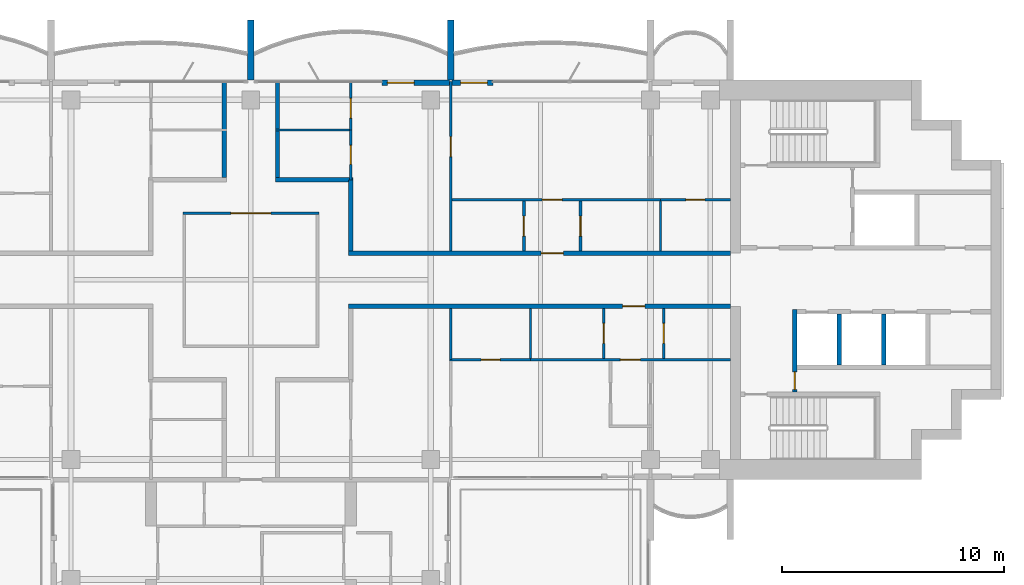
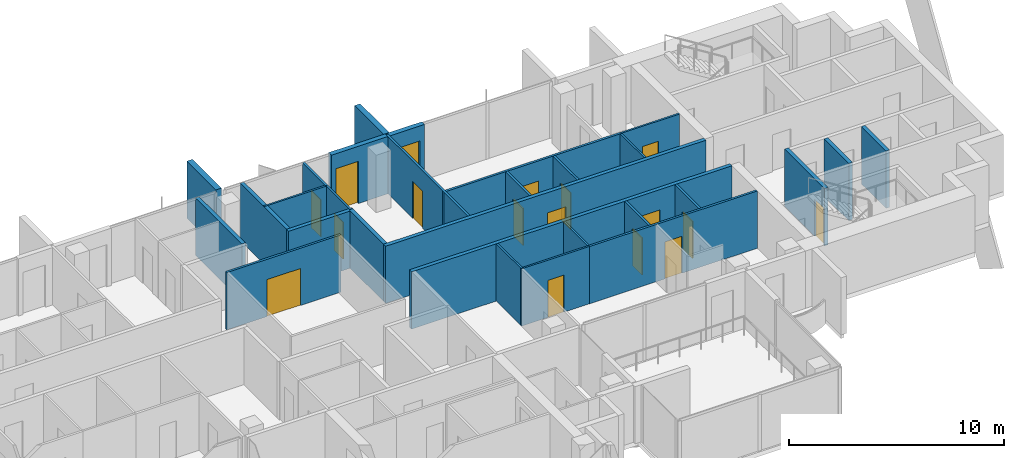
# One storey, part 10 of 16: 29 walls, 17 doors, 17 openings.
"""IFC4 building model written with IfcOpenShell, lengths in metres."""

import ifcopenshell
import ifcopenshell.guid

model = None  # the IFC model being written
_history = None  # IfcOwnerHistory: only IFC2X3 demands one
_inside = {}  # id of a spatial element -> (the spatial element, [elements in it])
_under = {}  # id of a project, library or spatial element -> (it, [spatial elements below it])
_declared = {}  # id of a project -> (the project, [libraries it declares])
_typed = {}  # id of a type object -> (the type object, [elements of that type])
_made_of = {}  # id of a material, layer set ... -> (it, [elements and type objects made of it])


def new_model(schema):
    """Start an empty IFC model of exactly this schema.

    Asked for "IFC4X3", IfcOpenShell would pick the latest addendum, in which some entities
    have other attributes; the version numbers below select the first issue.
    IFC2X3 requires an IfcOwnerHistory on every rooted entity: one is made here for all.
    """
    global model, _history
    if schema == "IFC4X3":
        model = ifcopenshell.file(schema_version=(4, 3, 0, 0))
    else:
        model = ifcopenshell.file(schema=schema)
    _inside.clear()
    _under.clear()
    _declared.clear()
    _typed.clear()
    _made_of.clear()
    _history = None
    if model.schema == "IFC2X3":
        org = make("IfcOrganization", Name="unknown")
        user = make(
            "IfcPersonAndOrganization",
            ThePerson=make("IfcPerson", FamilyName="unknown"),
            TheOrganization=org,
        )
        app = make(
            "IfcApplication",
            ApplicationDeveloper=org,
            Version="unknown",
            ApplicationFullName="unknown",
            ApplicationIdentifier="unknown",
        )
        _history = make(
            "IfcOwnerHistory",
            OwningUser=user,
            OwningApplication=app,
            ChangeAction="ADDED",
            CreationDate=0,
        )
    return model


def make(cls, **values):
    """One entity of the class cls with the attributes given. An attribute that is None is left unset."""
    return model.create_entity(
        cls, **{name: value for name, value in values.items() if value is not None}
    )


def rooted(cls, **values):
    """An entity with a GlobalId (a new one), such as an element, a storey or a relation."""
    return make(cls, GlobalId=ifcopenshell.guid.new(), OwnerHistory=_history, **values)


def si_unit(unit_type, name, prefix=None):
    """IfcSIUnit, for example si_unit("LENGTHUNIT", "METRE", prefix="MILLI")."""
    return make("IfcSIUnit", UnitType=unit_type, Prefix=prefix, Name=name)


def assignment(units):
    """IfcUnitAssignment: the units of a project."""
    return None if units is None else make("IfcUnitAssignment", Units=units)


def point(xyz):
    """IfcCartesianPoint."""
    return None if xyz is None else make("IfcCartesianPoint", Coordinates=xyz)


def direction(xyz):
    """IfcDirection."""
    return None if xyz is None else make("IfcDirection", DirectionRatios=xyz)


def frame(location, z_axis=None, x_axis=None):
    """IfcAxis2Placement3D, a coordinate frame: its origin and axes. An axis left out is left unset."""
    return make(
        "IfcAxis2Placement3D",
        Location=point(location),
        Axis=direction(z_axis),
        RefDirection=direction(x_axis),
    )


def frame_2d(location, x_axis=None):
    """IfcAxis2Placement2D, a coordinate frame in the plane: its origin and x axis."""
    return make(
        "IfcAxis2Placement2D", Location=point(location), RefDirection=direction(x_axis)
    )


def origin():
    """The frame at (0, 0, 0) with its axes left unset."""
    return frame((0.0, 0.0, 0.0))


def place(relative_to, where):
    """IfcLocalPlacement: puts the frame where relative to a parent placement (None: the world)."""
    return make(
        "IfcLocalPlacement", PlacementRelTo=relative_to, RelativePlacement=where
    )


def context(
    kind, dimensions, precision=None, world=None, true_north=None, identifier=None
):
    """IfcGeometricRepresentationContext, for example the 3D "Model" context."""
    return make(
        "IfcGeometricRepresentationContext",
        ContextIdentifier=identifier,
        ContextType=kind,
        CoordinateSpaceDimension=dimensions,
        Precision=precision,
        WorldCoordinateSystem=world,
        TrueNorth=true_north,
    )


def subcontext(parent, identifier, kind, view, scale=None):
    """IfcGeometricRepresentationSubContext, for example "Body" below "Model"."""
    return make(
        "IfcGeometricRepresentationSubContext",
        ContextIdentifier=identifier,
        ContextType=kind,
        ParentContext=parent,
        TargetScale=scale,
        TargetView=view,
    )


def project(units=None, contexts=None):
    """IfcProject with its units and contexts."""
    return rooted(
        "IfcProject",
        Name="project",
        RepresentationContexts=contexts,
        UnitsInContext=assignment(units),
    )


def spatial(cls, under=None, at=None, **own):
    """A site, building, storey or space (cls), placed at a placement, below another one or the project."""
    s = rooted(cls, ObjectPlacement=at, **own)
    if under is not None:
        _under.setdefault(under.id(), (under, []))[1].append(s)
    return s


def profile(cls, at=None, kind="AREA", **sizes):
    """A parametric profile (cls). Its sizes go by their IFC names, for example OverallWidth=200.0."""
    return make(cls, ProfileType=kind, Position=at, **sizes)


def rectangle(**sizes):
    """IfcRectangleProfileDef."""
    return profile("IfcRectangleProfileDef", **sizes)


def extrude(swept, where, along, depth):
    """IfcExtrudedAreaSolid: the profile swept, set in the frame where, extruded along a direction by depth."""
    return make(
        "IfcExtrudedAreaSolid",
        SweptArea=swept,
        Position=where,
        ExtrudedDirection=direction(along),
        Depth=depth,
    )


def shape(context_of_items, identifier, shape_type, items):
    """IfcShapeRepresentation: the items that make up one representation, for example the "Body"."""
    return make(
        "IfcShapeRepresentation",
        ContextOfItems=context_of_items,
        RepresentationIdentifier=identifier,
        RepresentationType=shape_type,
        Items=items,
    )


def material(Name=None, Category=None):
    """IfcMaterial."""
    return make("IfcMaterial", Name=Name, Category=Category)


def layer(
    of_material, thickness, ventilated=None, Name=None, Category=None, Priority=None
):
    """IfcMaterialLayer: one layer of a wall or slab, of a material (None: an air gap)."""
    return make(
        "IfcMaterialLayer",
        Material=of_material,
        LayerThickness=thickness,
        IsVentilated=ventilated,
        Name=Name,
        Category=Category,
        Priority=Priority,
    )


def layer_set(layers, Name=None):
    """IfcMaterialLayerSet."""
    return make("IfcMaterialLayerSet", MaterialLayers=layers, LayerSetName=Name)


def made_of(thing, what):
    """Note that an element or type object is made of a material, layer set ...; save() writes the relation."""
    if what is not None:
        _made_of.setdefault(what.id(), (what, []))[1].append(thing)
    return thing


def type_object(cls, material=None, **own):
    """A type object (cls), such as IfcWallType, which elements share."""
    return made_of(rooted(cls, **own), material)


def element(
    cls,
    number,
    at=None,
    inside=None,
    cuts=None,
    type_object=None,
    material=None,
    context=None,
    identifier="Body",
    shape_type=None,
    held_by="IfcProductDefinitionShape",
    body=None,
    shapes=None,
    **own,
):
    """One element of the class cls, such as IfcWall. Its Tag is "e" and its number.

    at: its placement. inside: the storey or other place that contains it. cuts: it is an
    opening in that element (IfcRelVoidsElement). A single representation is given by context,
    identifier, shape_type and body (its items); several are given by shapes. held_by: the class
    of the entity that holds the representations. save() writes the other relations.
    """
    e = rooted(cls, Tag="e%d" % number, ObjectPlacement=at, **own)
    if body is not None:
        shapes = [shape(context, identifier, shape_type, body)]
    if shapes is not None:
        e.Representation = make(held_by, Representations=shapes)
    if inside is not None:
        _inside.setdefault(inside.id(), (inside, []))[1].append(e)
    if cuts is not None:
        rooted(
            "IfcRelVoidsElement", RelatingBuildingElement=cuts, RelatedOpeningElement=e
        )
    if type_object is not None:
        _typed.setdefault(type_object.id(), (type_object, []))[1].append(e)
    return made_of(e, material)


def fill(opening, filler):
    """IfcRelFillsElement: the door or window that sits in an opening."""
    return rooted(
        "IfcRelFillsElement",
        RelatingOpeningElement=opening,
        RelatedBuildingElement=filler,
    )


def aggregate(whole, parts):
    """IfcRelAggregates: a whole, such as a stair, and the parts it consists of."""
    return rooted("IfcRelAggregates", RelatingObject=whole, RelatedObjects=parts)


def save(model, path):
    """Write the relations noted so far, then the file.

    IfcRelAggregates (storeys below a building ...), IfcRelContainedInSpatialStructure (elements
    in a storey), IfcRelDefinesByType, IfcRelAssociatesMaterial and IfcRelDeclares: one each for
    every whole, place, type object, material and project.
    """
    for whole, parts in _under.values():
        aggregate(whole, parts)
    for where, things in _inside.values():
        rooted(
            "IfcRelContainedInSpatialStructure",
            RelatedElements=things,
            RelatingStructure=where,
        )
    for kind, things in _typed.values():
        rooted("IfcRelDefinesByType", RelatedObjects=things, RelatingType=kind)
    for what, things in _made_of.values():
        rooted("IfcRelAssociatesMaterial", RelatedObjects=things, RelatingMaterial=what)
    for by, libraries in _declared.values():
        rooted("IfcRelDeclares", RelatingContext=by, RelatedDefinitions=libraries)
    model.write(path)


model = new_model("IFC4")

# Units and contexts
model_context = context("Model", 3, precision=1e-05, world=origin(), true_north=direction((0.0, 1.0)))
body_context = subcontext(model_context, "Body", "Model", "MODEL_VIEW")
ifc_project = project(units=[si_unit("LENGTHUNIT", "METRE"), si_unit("AREAUNIT", "SQUARE_METRE"), si_unit("VOLUMEUNIT", "CUBIC_METRE"), si_unit("PLANEANGLEUNIT", "RADIAN"), si_unit("MASSUNIT", "GRAM", prefix="KILO")], contexts=[model_context])

# Site, building, storey
site_placement = place(None, origin())
site = spatial("IfcSite", under=ifc_project, at=site_placement, CompositionType="ELEMENT")
building_placement = place(site_placement, origin())
building = spatial("IfcBuilding", under=site, at=building_placement, Name="Perihelion Cross Residences", CompositionType="ELEMENT")
storey_placement = place(building_placement, frame((0.0, 0.0, 253.5)))
storey = spatial("IfcBuildingStorey", under=building, at=storey_placement, Name="L64", CompositionType="ELEMENT", Elevation=253.5)

# Wall, opening, door
ifc_material_1 = material(Name="Plasterboard partition")
ifc_layer_1 = layer(ifc_material_1, 0.199951171875)
ifc_layer_set_1 = layer_set([ifc_layer_1], Name="Apartment separation wall 200")
wall_type_1 = type_object("IfcWallType", Name="Apartment separation wall 200", PredefinedType="PARTITIONING", material=ifc_layer_set_1)
wall_1_placement = place(storey_placement, frame((4.39990234375, 1.199951171875, 0.0), z_axis=(0.0, 0.0, 1.0), x_axis=(1.0, 0.0, 0.0)))
wall_1 = element("IfcWall", 1, at=wall_1_placement, inside=storey, type_object=wall_type_1, Name="Partition L64 W005", PredefinedType="PARTITIONING", context=body_context, shape_type="SweptSolid", body=[
    extrude(rectangle(XDim=17.2001953125, YDim=0.199951171875, at=frame_2d((8.60009765625, 0.0))), origin(), (0.0, 0.0, 1.0), 3.25),
])
opening_1_placement = place(wall_1_placement, frame((8.675048828125, 0.0, 0.0)))
opening_1 = element("IfcOpeningElement", 2, at=opening_1_placement, cuts=wall_1, Name="Opening L64.A40", PredefinedType="OPENING", context=body_context, shape_type="SweptSolid", body=[
    extrude(rectangle(XDim=1.0, YDim=2.10009765625, at=frame_2d((0.5, 1.050048828125))), frame((0.0, 0.10986328125, 0.0), z_axis=(0.0, -1.0, 0.0), x_axis=(1.0, 0.0, 0.0)), (0.0, 0.0, 1.0), 0.219970703125),
])
ifc_material_2 = material(Name="Timber door leaf", Category="wood")
door_type_1 = type_object("IfcDoorType", Name="Flat entrance door 1000 x 2100", OperationType="SINGLE_SWING_LEFT", PredefinedType="DOOR", material=ifc_material_2)
door_1_placement = place(opening_1_placement, origin())
door_1 = element("IfcDoor", 3, at=door_1_placement, inside=storey, type_object=door_type_1, Name="Door L64.A40", OperationType="SINGLE_SWING_LEFT", OverallHeight=2.10009765625, OverallWidth=1.0, PredefinedType="DOOR", context=body_context, shape_type="SweptSolid", body=[
    extrude(rectangle(XDim=1.0, YDim=2.10009765625, at=frame_2d((0.5, 1.050048828125))), frame((0.0, 0.02490234375, 0.0), z_axis=(0.0, -1.0, 0.0), x_axis=(1.0, 0.0, 0.0)), (0.0, 0.0, 1.0), 0.050048828125),
])
fill(opening_1, door_1)

# Walls
wall_2_placement = place(storey_placement, frame((4.5, 4.5, 0.0), z_axis=(0.0, 0.0, 1.0), x_axis=(0.0, -1.0, 0.0)))
element("IfcWall", 4, at=wall_2_placement, inside=storey, type_object=wall_type_1, Name="Partition L64 W006", PredefinedType="PARTITIONING", context=body_context, shape_type="SweptSolid", body=[
    extrude(rectangle(XDim=3.199951171875, YDim=0.199951171875, at=frame_2d((1.60009765625, 0.0))), origin(), (0.0, 0.0, 1.0), 3.25),
])
wall_3_placement = place(storey_placement, frame((1.199951171875, 8.919921875, 0.0), z_axis=(0.0, 0.0, 1.0), x_axis=(0.0, -1.0, 0.0)))
element("IfcWall", 5, at=wall_3_placement, inside=storey, type_object=wall_type_1, Name="Partition L64 W007", PredefinedType="PARTITIONING", context=body_context, shape_type="SweptSolid", body=[
    extrude(rectangle(XDim=4.31982421875, YDim=0.199951171875, at=frame_2d((2.159912109375, 0.0))), origin(), (0.0, 0.0, 1.0), 3.25),
])
wall_4_placement = place(storey_placement, frame((1.10009765625, 4.5, 0.0), z_axis=(0.0, 0.0, 1.0), x_axis=(1.0, 0.0, 0.0)))
element("IfcWall", 6, at=wall_4_placement, inside=storey, type_object=wall_type_1, Name="Partition L64 W008", PredefinedType="PARTITIONING", context=body_context, shape_type="SweptSolid", body=[
    extrude(rectangle(XDim=3.5, YDim=0.199951171875, at=frame_2d((1.75, 0.0))), origin(), (0.0, 0.0, 1.0), 3.25),
])

# Wall, opening, door
wall_5_placement = place(storey_placement, frame((21.60009765625, -1.199951171875, 0.0), z_axis=(0.0, 0.0, 1.0), x_axis=(-1.0, 0.0, 0.0)))
wall_5 = element("IfcWall", 7, at=wall_5_placement, inside=storey, type_object=wall_type_1, Name="Partition L64 W009", PredefinedType="PARTITIONING", context=body_context, shape_type="SweptSolid", body=[
    extrude(rectangle(XDim=17.2001953125, YDim=0.199951171875, at=frame_2d((8.60009765625, 0.0))), origin(), (0.0, 0.0, 1.0), 3.25),
])
opening_2_placement = place(wall_5_placement, frame((3.85009765625, 0.0, 0.0)))
opening_2 = element("IfcOpeningElement", 8, at=opening_2_placement, cuts=wall_5, Name="Opening L64.A41", PredefinedType="OPENING", context=body_context, shape_type="SweptSolid", body=[
    extrude(rectangle(XDim=1.0, YDim=2.10009765625, at=frame_2d((0.5, 1.050048828125))), frame((0.0, 0.10986328125, 0.0), z_axis=(0.0, -1.0, 0.0), x_axis=(1.0, 0.0, 0.0)), (0.0, 0.0, 1.0), 0.219970703125),
])
door_2_placement = place(opening_2_placement, origin())
door_2 = element("IfcDoor", 9, at=door_2_placement, inside=storey, type_object=door_type_1, Name="Door L64.A41", OperationType="SINGLE_SWING_LEFT", OverallHeight=2.10009765625, OverallWidth=1.0, PredefinedType="DOOR", context=body_context, shape_type="SweptSolid", body=[
    extrude(rectangle(XDim=1.0, YDim=2.10009765625, at=frame_2d((0.5, 1.050048828125))), frame((0.0, 0.02490234375, 0.0), z_axis=(0.0, -1.0, 0.0), x_axis=(1.0, 0.0, 0.0)), (0.0, 0.0, 1.0), 0.050048828125),
])
fill(opening_2, door_2)

# Wall
wall_6_placement = place(storey_placement, frame((-1.199951171875, 4.60009765625, 0.0), z_axis=(0.0, 0.0, 1.0), x_axis=(0.0, 1.0, 0.0)))
element("IfcWall", 10, at=wall_6_placement, inside=storey, type_object=wall_type_1, Name="Partition L64 W016", PredefinedType="PARTITIONING", context=body_context, shape_type="SweptSolid", body=[
    extrude(rectangle(XDim=4.31982421875, YDim=0.199951171875, at=frame_2d((2.159912109375, 0.0))), origin(), (0.0, 0.0, 1.0), 3.25),
])

# Wall, opening, door
ifc_material_3 = material(Name="Concrete C30/37, bronze-clad", Category="concrete")
ifc_layer_2 = layer(ifc_material_3, 0.25)
ifc_layer_set_2 = layer_set([ifc_layer_2], Name="Bronze-clad pier wall 250")
wall_type_2 = type_object("IfcWallType", Name="Bronze-clad pier wall 250", PredefinedType="SOLIDWALL", material=ifc_layer_set_2)
wall_7_placement = place(storey_placement, frame((10.89990234375, 8.875, 0.0), z_axis=(0.0, 0.0, 1.0), x_axis=(-1.0, 0.0, 0.0)))
wall_7 = element("IfcWall", 11, at=wall_7_placement, inside=storey, type_object=wall_type_2, Name="Wall FW1 L64 east side north bay 2 pier", PredefinedType="SOLIDWALL", context=body_context, shape_type="SweptSolid", body=[
    extrude(rectangle(XDim=1.83984375, YDim=0.25, at=frame_2d((0.919921875, 0.0))), origin(), (0.0, 0.0, 1.0), 3.25),
])
opening_3_placement = place(wall_7_placement, frame((0.25, 0.0, 0.0)))
opening_3 = element("IfcOpeningElement", 12, at=opening_3_placement, cuts=wall_7, Name="Opening L64.E02", PredefinedType="OPENING", context=body_context, shape_type="SweptSolid", body=[
    extrude(rectangle(XDim=1.199951171875, YDim=2.39990234375, at=frame_2d((0.60009765625, 1.199951171875))), frame((0.0, 0.135009765625, 0.0), z_axis=(0.0, -1.0, 0.0), x_axis=(1.0, 0.0, 0.0)), (0.0, 0.0, 1.0), 0.27001953125),
])
ifc_material_4 = material(Name="Bronze anodised aluminium, glazed", Category="aluminium")
door_type_2 = type_object("IfcDoorType", Name="Balcony door 1200 x 2400", OperationType="NOTDEFINED", PredefinedType="DOOR", material=ifc_material_4)
door_3_placement = place(opening_3_placement, origin())
door_3 = element("IfcDoor", 13, at=door_3_placement, inside=storey, type_object=door_type_2, Name="Door L64.E02 east side north bay 2", OperationType="SINGLE_SWING_RIGHT", OverallHeight=2.39990234375, OverallWidth=1.199951171875, PredefinedType="DOOR", context=body_context, shape_type="SweptSolid", body=[
    extrude(rectangle(XDim=1.199951171875, YDim=2.39990234375, at=frame_2d((0.60009765625, 1.199951171875))), frame((0.0, 0.02490234375, 0.0), z_axis=(0.0, -1.0, 0.0), x_axis=(1.0, 0.0, 0.0)), (0.0, 0.0, 1.0), 0.050048828125),
])
fill(opening_3, door_3)

wall_8_placement = place(storey_placement, frame((8.93994140625, 8.875, 0.0), z_axis=(0.0, 0.0, 1.0), x_axis=(-1.0, 0.0, 0.0)))
wall_8 = element("IfcWall", 14, at=wall_8_placement, inside=storey, type_object=wall_type_2, Name="Wall FW1 L64 north side east bay 1 pier", PredefinedType="SOLIDWALL", context=body_context, shape_type="SweptSolid", body=[
    extrude(rectangle(XDim=3.0400390625, YDim=0.25, at=frame_2d((1.52001953125, 0.0))), origin(), (0.0, 0.0, 1.0), 3.25),
])
opening_4_placement = place(wall_8_placement, frame((1.590087890625, 0.0, 0.0)))
opening_4 = element("IfcOpeningElement", 15, at=opening_4_placement, cuts=wall_8, Name="Opening L64.E03", PredefinedType="OPENING", context=body_context, shape_type="SweptSolid", body=[
    extrude(rectangle(XDim=1.199951171875, YDim=2.39990234375, at=frame_2d((0.60009765625, 1.199951171875))), frame((0.0, 0.135009765625, 0.0), z_axis=(0.0, -1.0, 0.0), x_axis=(1.0, 0.0, 0.0)), (0.0, 0.0, 1.0), 0.27001953125),
])
door_4_placement = place(opening_4_placement, origin())
door_4 = element("IfcDoor", 16, at=door_4_placement, inside=storey, type_object=door_type_2, Name="Door L64.E03 north side east bay 1", OperationType="SINGLE_SWING_LEFT", OverallHeight=2.39990234375, OverallWidth=1.199951171875, PredefinedType="DOOR", context=body_context, shape_type="SweptSolid", body=[
    extrude(rectangle(XDim=1.199951171875, YDim=2.39990234375, at=frame_2d((0.60009765625, 1.199951171875))), frame((0.0, 0.02490234375, 0.0), z_axis=(0.0, -1.0, 0.0), x_axis=(1.0, 0.0, 0.0)), (0.0, 0.0, 1.0), 0.050048828125),
])
fill(opening_4, door_4)

ifc_material_5 = material(Name="Concrete C50/60", Category="concrete")
ifc_layer_3 = layer(ifc_material_5, 0.199951171875)
ifc_layer_set_3 = layer_set([ifc_layer_3], Name="Lobby wall 200")
wall_type_3 = type_object("IfcWallType", Name="Lobby wall 200", PredefinedType="SOLIDWALL", material=ifc_layer_set_3)
wall_9_placement = place(storey_placement, frame((24.5, -5.050048828125, 0.0), z_axis=(0.0, 0.0, 1.0), x_axis=(0.0, 1.0, 0.0)))
wall_9 = element("IfcWall", 17, at=wall_9_placement, inside=storey, type_object=wall_type_3, Name="East core lobby wall", PredefinedType="SOLIDWALL", context=body_context, shape_type="SweptSolid", body=[
    extrude(rectangle(XDim=3.699951171875, YDim=0.199951171875, at=frame_2d((1.85009765625, 0.0))), origin(), (0.0, 0.0, 1.0), 3.25),
])
opening_5_placement = place(wall_9_placement, frame((0.10009765625, 0.0, 0.0)))
opening_5 = element("IfcOpeningElement", 18, at=opening_5_placement, cuts=wall_9, Name="Opening L64.C08", PredefinedType="OPENING", context=body_context, shape_type="SweptSolid", body=[
    extrude(rectangle(XDim=0.800048828125, YDim=2.10009765625, at=frame_2d((0.39990234375, 1.050048828125))), frame((0.0, 0.10986328125, 0.0), z_axis=(0.0, -1.0, 0.0), x_axis=(1.0, 0.0, 0.0)), (0.0, 0.0, 1.0), 0.219970703125),
])
ifc_material_6 = material(Name="Steel, powder coated", Category="steel")
door_type_3 = type_object("IfcDoorType", Name="Riser door 800", OperationType="SINGLE_SWING_LEFT", PredefinedType="DOOR", material=ifc_material_6)
door_5_placement = place(opening_5_placement, origin())
door_5 = element("IfcDoor", 19, at=door_5_placement, inside=storey, type_object=door_type_3, Name="East core riser door", OperationType="SINGLE_SWING_LEFT", OverallHeight=2.10009765625, OverallWidth=0.800048828125, PredefinedType="DOOR", context=body_context, shape_type="SweptSolid", body=[
    extrude(rectangle(XDim=0.800048828125, YDim=2.10009765625, at=frame_2d((0.39990234375, 1.050048828125))), frame((0.0, 0.02490234375, 0.0), z_axis=(0.0, -1.0, 0.0), x_axis=(1.0, 0.0, 0.0)), (0.0, 0.0, 1.0), 0.050048828125),
])
fill(opening_5, door_5)

ifc_material_7 = material(Name="Plasterboard partition")
ifc_layer_4 = layer(ifc_material_7, 0.1201171875)
ifc_layer_set_4 = layer_set([ifc_layer_4], Name="Partition wall 120")
wall_type_4 = type_object("IfcWallType", Name="Partition wall 120", PredefinedType="PARTITIONING", material=ifc_layer_set_4)
wall_10_placement = place(storey_placement, frame((3.06005859375, 3.0, 0.0), z_axis=(0.0, 0.0, 1.0), x_axis=(-1.0, 0.0, 0.0)))
wall_10 = element("IfcWall", 20, at=wall_10_placement, inside=storey, type_object=wall_type_4, Name="Partition L64 W003", PredefinedType="PARTITIONING", context=body_context, shape_type="SweptSolid", body=[
    extrude(rectangle(XDim=6.1201171875, YDim=0.1201171875, at=frame_2d((3.06005859375, 0.0))), origin(), (0.0, 0.0, 1.0), 3.25),
])
opening_6_placement = place(wall_10_placement, frame((2.159912109375, 0.0, 0.0)))
opening_6 = element("IfcOpeningElement", 21, at=opening_6_placement, cuts=wall_10, Name="Opening L64.A01", PredefinedType="OPENING", context=body_context, shape_type="SweptSolid", body=[
    extrude(rectangle(XDim=1.800048828125, YDim=2.10009765625, at=frame_2d((0.89990234375, 1.050048828125))), frame((0.0, 0.070068359375, 0.0), z_axis=(0.0, -1.0, 0.0), x_axis=(1.0, 0.0, 0.0)), (0.0, 0.0, 1.0), 0.14013671875),
])
ifc_material_8 = material(Name="Glazed timber door leaf", Category="wood")
door_type_4 = type_object("IfcDoorType", Name="Interior double leaf door 1800 x 2100", OperationType="DOUBLE_DOOR_SINGLE_SWING", PredefinedType="DOOR", material=ifc_material_8)
door_6_placement = place(opening_6_placement, origin())
door_6 = element("IfcDoor", 22, at=door_6_placement, inside=storey, type_object=door_type_4, Name="Door L64.A01", OperationType="SINGLE_SWING_LEFT", OverallHeight=2.10009765625, OverallWidth=1.800048828125, PredefinedType="DOOR", context=body_context, shape_type="SweptSolid", body=[
    extrude(rectangle(XDim=1.800048828125, YDim=2.10009765625, at=frame_2d((0.89990234375, 1.050048828125))), frame((0.0, 0.02490234375, 0.0), z_axis=(0.0, -1.0, 0.0), x_axis=(1.0, 0.0, 0.0)), (0.0, 0.0, 1.0), 0.050048828125),
])
fill(opening_6, door_6)

wall_11_placement = place(storey_placement, frame((12.300048828125, 3.5400390625, 0.0), z_axis=(0.0, 0.0, 1.0), x_axis=(0.0, -1.0, 0.0)))
wall_11 = element("IfcWall", 23, at=wall_11_placement, inside=storey, type_object=wall_type_4, Name="Partition L64 W022", PredefinedType="PARTITIONING", context=body_context, shape_type="SweptSolid", body=[
    extrude(rectangle(XDim=2.239990234375, YDim=0.1201171875, at=frame_2d((1.1201171875, 0.0))), origin(), (0.0, 0.0, 1.0), 3.25),
])
opening_7_placement = place(wall_11_placement, frame((0.669921875, 0.0, 0.0)))
opening_7 = element("IfcOpeningElement", 24, at=opening_7_placement, cuts=wall_11, Name="Opening L64.A05", PredefinedType="OPENING", context=body_context, shape_type="SweptSolid", body=[
    extrude(rectangle(XDim=0.89990234375, YDim=2.10009765625, at=frame_2d((0.449951171875, 1.050048828125))), frame((0.0, 0.070068359375, 0.0), z_axis=(0.0, -1.0, 0.0), x_axis=(1.0, 0.0, 0.0)), (0.0, 0.0, 1.0), 0.14013671875),
])
ifc_material_9 = material(Name="Timber door leaf", Category="wood")
door_type_5 = type_object("IfcDoorType", Name="Interior room door 900 x 2100", OperationType="SINGLE_SWING_LEFT", PredefinedType="DOOR", material=ifc_material_9)
door_7_placement = place(opening_7_placement, origin())
door_7 = element("IfcDoor", 25, at=door_7_placement, inside=storey, type_object=door_type_5, Name="Door L64.A05", OperationType="SINGLE_SWING_RIGHT", OverallHeight=2.10009765625, OverallWidth=0.89990234375, PredefinedType="DOOR", context=body_context, shape_type="SweptSolid", body=[
    extrude(rectangle(XDim=0.89990234375, YDim=2.10009765625, at=frame_2d((0.449951171875, 1.050048828125))), frame((0.0, 0.02490234375, 0.0), z_axis=(0.0, -1.0, 0.0), x_axis=(1.0, 0.0, 0.0)), (0.0, 0.0, 1.0), 0.050048828125),
])
fill(opening_7, door_7)

wall_12_placement = place(storey_placement, frame((8.93994140625, 3.60009765625, 0.0), z_axis=(0.0, 0.0, 1.0), x_axis=(1.0, 0.0, 0.0)))
wall_12 = element("IfcWall", 26, at=wall_12_placement, inside=storey, type_object=wall_type_4, Name="Partition L64 W023", PredefinedType="PARTITIONING", context=body_context, shape_type="SweptSolid", body=[
    extrude(rectangle(XDim=9.510009765625, YDim=0.1201171875, at=frame_2d((4.7548828125, 0.0))), origin(), (0.0, 0.0, 1.0), 3.25),
])
opening_8_placement = place(wall_12_placement, frame((4.18505859375, 0.0, 0.0)))
opening_8 = element("IfcOpeningElement", 27, at=opening_8_placement, cuts=wall_12, Name="Opening L64.A07", PredefinedType="OPENING", context=body_context, shape_type="SweptSolid", body=[
    extrude(rectangle(XDim=0.89990234375, YDim=2.10009765625, at=frame_2d((0.449951171875, 1.050048828125))), frame((0.0, 0.070068359375, 0.0), z_axis=(0.0, -1.0, 0.0), x_axis=(1.0, 0.0, 0.0)), (0.0, 0.0, 1.0), 0.14013671875),
])
door_8_placement = place(opening_8_placement, origin())
door_8 = element("IfcDoor", 28, at=door_8_placement, inside=storey, type_object=door_type_5, Name="Door L64.A07", OperationType="SINGLE_SWING_RIGHT", OverallHeight=2.10009765625, OverallWidth=0.89990234375, PredefinedType="DOOR", context=body_context, shape_type="SweptSolid", body=[
    extrude(rectangle(XDim=0.89990234375, YDim=2.10009765625, at=frame_2d((0.449951171875, 1.050048828125))), frame((0.0, 0.02490234375, 0.0), z_axis=(0.0, -1.0, 0.0), x_axis=(1.0, 0.0, 0.0)), (0.0, 0.0, 1.0), 0.050048828125),
])
fill(opening_8, door_8)

wall_13_placement = place(storey_placement, frame((9.0, 1.300048828125, 0.0), z_axis=(0.0, 0.0, 1.0), x_axis=(0.0, 1.0, 0.0)))
wall_13 = element("IfcWall", 29, at=wall_13_placement, inside=storey, type_object=wall_type_4, Name="Partition L64 W024", PredefinedType="PARTITIONING", context=body_context, shape_type="SweptSolid", body=[
    extrude(rectangle(XDim=7.619873046875, YDim=0.1201171875, at=frame_2d((3.81005859375, 0.0))), origin(), (0.0, 0.0, 1.0), 3.25),
])
opening_9_placement = place(wall_13_placement, frame((4.25, 0.0, 0.0)))
opening_9 = element("IfcOpeningElement", 30, at=opening_9_placement, cuts=wall_13, Name="Opening L64.A04", PredefinedType="OPENING", context=body_context, shape_type="SweptSolid", body=[
    extrude(rectangle(XDim=0.89990234375, YDim=2.10009765625, at=frame_2d((0.449951171875, 1.050048828125))), frame((0.0, 0.070068359375, 0.0), z_axis=(0.0, -1.0, 0.0), x_axis=(1.0, 0.0, 0.0)), (0.0, 0.0, 1.0), 0.14013671875),
])
door_9_placement = place(opening_9_placement, origin())
door_9 = element("IfcDoor", 31, at=door_9_placement, inside=storey, type_object=door_type_5, Name="Door L64.A04", OperationType="SINGLE_SWING_RIGHT", OverallHeight=2.10009765625, OverallWidth=0.89990234375, PredefinedType="DOOR", context=body_context, shape_type="SweptSolid", body=[
    extrude(rectangle(XDim=0.89990234375, YDim=2.10009765625, at=frame_2d((0.449951171875, 1.050048828125))), frame((0.0, 0.02490234375, 0.0), z_axis=(0.0, -1.0, 0.0), x_axis=(1.0, 0.0, 0.0)), (0.0, 0.0, 1.0), 0.050048828125),
])
fill(opening_9, door_9)

wall_14_placement = place(storey_placement, frame((14.85009765625, 3.5400390625, 0.0), z_axis=(0.0, 0.0, 1.0), x_axis=(0.0, -1.0, 0.0)))
wall_14 = element("IfcWall", 32, at=wall_14_placement, inside=storey, type_object=wall_type_4, Name="Partition L64 W025", PredefinedType="PARTITIONING", context=body_context, shape_type="SweptSolid", body=[
    extrude(rectangle(XDim=2.239990234375, YDim=0.1201171875, at=frame_2d((1.1201171875, 0.0))), origin(), (0.0, 0.0, 1.0), 3.25),
])
opening_10_placement = place(wall_14_placement, frame((0.669921875, 0.0, 0.0)))
opening_10 = element("IfcOpeningElement", 33, at=opening_10_placement, cuts=wall_14, Name="Opening L64.A09", PredefinedType="OPENING", context=body_context, shape_type="SweptSolid", body=[
    extrude(rectangle(XDim=0.89990234375, YDim=2.10009765625, at=frame_2d((0.449951171875, 1.050048828125))), frame((0.0, 0.070068359375, 0.0), z_axis=(0.0, -1.0, 0.0), x_axis=(1.0, 0.0, 0.0)), (0.0, 0.0, 1.0), 0.14013671875),
])
door_10_placement = place(opening_10_placement, origin())
door_10 = element("IfcDoor", 34, at=door_10_placement, inside=storey, type_object=door_type_5, Name="Door L64.A09", OperationType="SINGLE_SWING_LEFT", OverallHeight=2.10009765625, OverallWidth=0.89990234375, PredefinedType="DOOR", context=body_context, shape_type="SweptSolid", body=[
    extrude(rectangle(XDim=0.89990234375, YDim=2.10009765625, at=frame_2d((0.449951171875, 1.050048828125))), frame((0.0, 0.02490234375, 0.0), z_axis=(0.0, -1.0, 0.0), x_axis=(1.0, 0.0, 0.0)), (0.0, 0.0, 1.0), 0.050048828125),
])
fill(opening_10, door_10)

wall_15_placement = place(storey_placement, frame((4.5, 6.75, 0.0), z_axis=(0.0, 0.0, 1.0), x_axis=(0.0, 1.0, 0.0)))
wall_15 = element("IfcWall", 35, at=wall_15_placement, inside=storey, type_object=wall_type_4, Name="Partition L64 W030", PredefinedType="PARTITIONING", context=body_context, shape_type="SweptSolid", body=[
    extrude(rectangle(XDim=2.169921875, YDim=0.1201171875, at=frame_2d((1.0849609375, 0.0))), origin(), (0.0, 0.0, 1.0), 3.25),
])
opening_11_placement = place(wall_15_placement, frame((0.52490234375, 0.0, 0.0)))
opening_11 = element("IfcOpeningElement", 36, at=opening_11_placement, cuts=wall_15, Name="Opening L64.A06", PredefinedType="OPENING", context=body_context, shape_type="SweptSolid", body=[
    extrude(rectangle(XDim=0.89990234375, YDim=2.10009765625, at=frame_2d((0.449951171875, 1.050048828125))), frame((0.0, 0.070068359375, 0.0), z_axis=(0.0, -1.0, 0.0), x_axis=(1.0, 0.0, 0.0)), (0.0, 0.0, 1.0), 0.14013671875),
])
door_11_placement = place(opening_11_placement, origin())
door_11 = element("IfcDoor", 37, at=door_11_placement, inside=storey, type_object=door_type_5, Name="Door L64.A06", OperationType="SINGLE_SWING_RIGHT", OverallHeight=2.10009765625, OverallWidth=0.89990234375, PredefinedType="DOOR", context=body_context, shape_type="SweptSolid", body=[
    extrude(rectangle(XDim=0.89990234375, YDim=2.10009765625, at=frame_2d((0.449951171875, 1.050048828125))), frame((0.0, 0.02490234375, 0.0), z_axis=(0.0, -1.0, 0.0), x_axis=(1.0, 0.0, 0.0)), (0.0, 0.0, 1.0), 0.050048828125),
])
fill(opening_11, door_11)

wall_16_placement = place(storey_placement, frame((15.89990234375, -1.300048828125, 0.0), z_axis=(0.0, 0.0, 1.0), x_axis=(0.0, -1.0, 0.0)))
wall_16 = element("IfcWall", 38, at=wall_16_placement, inside=storey, type_object=wall_type_4, Name="Partition L64 W035", PredefinedType="PARTITIONING", context=body_context, shape_type="SweptSolid", body=[
    extrude(rectangle(XDim=2.239990234375, YDim=0.1201171875, at=frame_2d((1.1201171875, 0.0))), origin(), (0.0, 0.0, 1.0), 3.25),
])
opening_12_placement = place(wall_16_placement, frame((0.669921875, 0.0, 0.0)))
opening_12 = element("IfcOpeningElement", 39, at=opening_12_placement, cuts=wall_16, Name="Opening L64.A12", PredefinedType="OPENING", context=body_context, shape_type="SweptSolid", body=[
    extrude(rectangle(XDim=0.89990234375, YDim=2.10009765625, at=frame_2d((0.449951171875, 1.050048828125))), frame((0.0, 0.070068359375, 0.0), z_axis=(0.0, -1.0, 0.0), x_axis=(1.0, 0.0, 0.0)), (0.0, 0.0, 1.0), 0.14013671875),
])
door_12_placement = place(opening_12_placement, origin())
door_12 = element("IfcDoor", 40, at=door_12_placement, inside=storey, type_object=door_type_5, Name="Door L64.A12", OperationType="SINGLE_SWING_LEFT", OverallHeight=2.10009765625, OverallWidth=0.89990234375, PredefinedType="DOOR", context=body_context, shape_type="SweptSolid", body=[
    extrude(rectangle(XDim=0.89990234375, YDim=2.10009765625, at=frame_2d((0.449951171875, 1.050048828125))), frame((0.0, 0.02490234375, 0.0), z_axis=(0.0, -1.0, 0.0), x_axis=(1.0, 0.0, 0.0)), (0.0, 0.0, 1.0), 0.050048828125),
])
fill(opening_12, door_12)

wall_17_placement = place(storey_placement, frame((21.60009765625, -3.60009765625, 0.0), z_axis=(0.0, 0.0, 1.0), x_axis=(-1.0, 0.0, 0.0)))
wall_17 = element("IfcWall", 41, at=wall_17_placement, inside=storey, type_object=wall_type_4, Name="Partition L64 W036", PredefinedType="PARTITIONING", context=body_context, shape_type="SweptSolid", body=[
    extrude(rectangle(XDim=9.0, YDim=0.1201171875, at=frame_2d((4.5, 0.0))), origin(), (0.0, 0.0, 1.0), 3.25),
])
opening_13_placement = place(wall_17_placement, frame((4.050048828125, 0.0, 0.0)))
opening_13 = element("IfcOpeningElement", 42, at=opening_13_placement, cuts=wall_17, Name="Opening L64.A10", PredefinedType="OPENING", context=body_context, shape_type="SweptSolid", body=[
    extrude(rectangle(XDim=0.89990234375, YDim=2.10009765625, at=frame_2d((0.449951171875, 1.050048828125))), frame((0.0, 0.070068359375, 0.0), z_axis=(0.0, -1.0, 0.0), x_axis=(1.0, 0.0, 0.0)), (0.0, 0.0, 1.0), 0.14013671875),
])
door_13_placement = place(opening_13_placement, origin())
door_13 = element("IfcDoor", 43, at=door_13_placement, inside=storey, type_object=door_type_5, Name="Door L64.A10", OperationType="SINGLE_SWING_RIGHT", OverallHeight=2.10009765625, OverallWidth=0.89990234375, PredefinedType="DOOR", context=body_context, shape_type="SweptSolid", body=[
    extrude(rectangle(XDim=0.89990234375, YDim=2.10009765625, at=frame_2d((0.449951171875, 1.050048828125))), frame((0.0, 0.02490234375, 0.0), z_axis=(0.0, -1.0, 0.0), x_axis=(1.0, 0.0, 0.0)), (0.0, 0.0, 1.0), 0.050048828125),
])
fill(opening_13, door_13)

wall_18_placement = place(storey_placement, frame((18.60009765625, -1.300048828125, 0.0), z_axis=(0.0, 0.0, 1.0), x_axis=(0.0, -1.0, 0.0)))
wall_18 = element("IfcWall", 44, at=wall_18_placement, inside=storey, type_object=wall_type_4, Name="Partition L64 W037", PredefinedType="PARTITIONING", context=body_context, shape_type="SweptSolid", body=[
    extrude(rectangle(XDim=2.239990234375, YDim=0.1201171875, at=frame_2d((1.1201171875, 0.0))), origin(), (0.0, 0.0, 1.0), 3.25),
])
opening_14_placement = place(wall_18_placement, frame((0.669921875, 0.0, 0.0)))
opening_14 = element("IfcOpeningElement", 45, at=opening_14_placement, cuts=wall_18, Name="Opening L64.A11", PredefinedType="OPENING", context=body_context, shape_type="SweptSolid", body=[
    extrude(rectangle(XDim=0.89990234375, YDim=2.10009765625, at=frame_2d((0.449951171875, 1.050048828125))), frame((0.0, 0.070068359375, 0.0), z_axis=(0.0, -1.0, 0.0), x_axis=(1.0, 0.0, 0.0)), (0.0, 0.0, 1.0), 0.14013671875),
])
door_14_placement = place(opening_14_placement, origin())
door_14 = element("IfcDoor", 46, at=door_14_placement, inside=storey, type_object=door_type_5, Name="Door L64.A11", OperationType="SINGLE_SWING_LEFT", OverallHeight=2.10009765625, OverallWidth=0.89990234375, PredefinedType="DOOR", context=body_context, shape_type="SweptSolid", body=[
    extrude(rectangle(XDim=0.89990234375, YDim=2.10009765625, at=frame_2d((0.449951171875, 1.050048828125))), frame((0.0, 0.02490234375, 0.0), z_axis=(0.0, -1.0, 0.0), x_axis=(1.0, 0.0, 0.0)), (0.0, 0.0, 1.0), 0.050048828125),
])
fill(opening_14, door_14)

# Walls
ifc_material_10 = material(Name="Precast concrete C50/60", Category="concrete")
ifc_layer_5 = layer(ifc_material_10, 0.300048828125)
ifc_layer_set_5 = layer_set([ifc_layer_5], Name="Precast concrete C50/60 blade wall 300")
wall_type_5 = type_object("IfcWallType", Name="Precast concrete C50/60 blade wall 300", PredefinedType="SOLIDWALL", material=ifc_layer_set_5)
for number, where, z_axis, x_axis, name in (
    (47, (0.0, 9.0, 0.0), (0.0, 0.0, 1.0), (0.0, 1.0, 0.0), "Wall BL1 L64 no. 9"),
    (48, (9.0, 9.0, 0.0), (0.0, 0.0, 1.0), (0.0, 1.0, 0.0), "Wall BL1 L64 no. 16"),
):
    element("IfcWall", number, at=place(storey_placement, frame(where, z_axis=z_axis, x_axis=x_axis)), inside=storey, type_object=wall_type_5, Name=name, PredefinedType="SOLIDWALL", context=body_context, shape_type="SweptSolid", body=[
        extrude(rectangle(XDim=2.699951171875, YDim=0.300048828125, at=frame_2d((1.35009765625, 0.0))), origin(), (0.0, 0.0, 1.0), 3.25),
    ])
ifc_material_11 = material(Name="Concrete C50/60", Category="concrete")
ifc_layer_6 = layer(ifc_material_11, 0.199951171875)
ifc_layer_set_6 = layer_set([ifc_layer_6], Name="Shaft wall 200")
wall_type_6 = type_object("IfcWallType", Name="Shaft wall 200", PredefinedType="SOLIDWALL", material=ifc_layer_set_6)
for number, where, z_axis, x_axis, name in (
    (49, (26.5, -3.85009765625, 0.0), (0.0, 0.0, 1.0), (0.0, 1.0, 0.0), "East core shaft wall"),
    (50, (28.5, -3.85009765625, 0.0), (0.0, 0.0, 1.0), (0.0, 1.0, 0.0), "East core shaft wall"),
):
    element("IfcWall", number, at=place(storey_placement, frame(where, z_axis=z_axis, x_axis=x_axis)), inside=storey, type_object=wall_type_6, Name=name, PredefinedType="SOLIDWALL", context=body_context, shape_type="SweptSolid", body=[
        extrude(rectangle(XDim=2.300048828125, YDim=0.199951171875, at=frame_2d((1.14990234375, 0.0))), origin(), (0.0, 0.0, 1.0), 3.25),
    ])
ifc_material_12 = material(Name="Plasterboard partition")
ifc_layer_7 = layer(ifc_material_12, 0.10009765625)
ifc_layer_set_7 = layer_set([ifc_layer_7], Name="Wet room wall 100")
wall_type_7 = type_object("IfcWallType", Name="Wet room wall 100", PredefinedType="PARTITIONING", material=ifc_layer_set_7)
wall_19_placement = place(storey_placement, frame((18.449951171875, 3.5400390625, 0.0), z_axis=(0.0, 0.0, 1.0), x_axis=(0.0, -1.0, 0.0)))
element("IfcWall", 51, at=wall_19_placement, inside=storey, type_object=wall_type_7, Name="Partition L64 W026", PredefinedType="PARTITIONING", context=body_context, shape_type="SweptSolid", body=[
    extrude(rectangle(XDim=2.239990234375, YDim=0.10009765625, at=frame_2d((1.1201171875, 0.0))), origin(), (0.0, 0.0, 1.0), 3.25),
])

# Wall, opening, door
wall_20_placement = place(storey_placement, frame((18.449951171875, 3.60009765625, 0.0), z_axis=(0.0, 0.0, 1.0), x_axis=(1.0, 0.0, 0.0)))
wall_20 = element("IfcWall", 52, at=wall_20_placement, inside=storey, type_object=wall_type_7, Name="Partition L64 W027", PredefinedType="PARTITIONING", context=body_context, shape_type="SweptSolid", body=[
    extrude(rectangle(XDim=3.150146484375, YDim=0.10009765625, at=frame_2d((1.5751953125, 0.0))), origin(), (0.0, 0.0, 1.0), 3.25),
])
opening_15_placement = place(wall_20_placement, frame((1.14990234375, 0.0, 0.0)))
opening_15 = element("IfcOpeningElement", 53, at=opening_15_placement, cuts=wall_20, Name="Opening L64.A02", PredefinedType="OPENING", context=body_context, shape_type="SweptSolid", body=[
    extrude(rectangle(XDim=0.85009765625, YDim=2.10009765625, at=frame_2d((0.425048828125, 1.050048828125))), frame((0.0, 0.06005859375, 0.0), z_axis=(0.0, -1.0, 0.0), x_axis=(1.0, 0.0, 0.0)), (0.0, 0.0, 1.0), 0.1201171875),
])
ifc_material_13 = material(Name="Timber door leaf", Category="wood")
door_type_6 = type_object("IfcDoorType", Name="Interior bathroom door 850 x 2100", OperationType="SINGLE_SWING_LEFT", PredefinedType="DOOR", material=ifc_material_13)
door_15_placement = place(opening_15_placement, origin())
door_15 = element("IfcDoor", 54, at=door_15_placement, inside=storey, type_object=door_type_6, Name="Door L64.A02", OperationType="SINGLE_SWING_RIGHT", OverallHeight=2.10009765625, OverallWidth=0.85009765625, PredefinedType="DOOR", context=body_context, shape_type="SweptSolid", body=[
    extrude(rectangle(XDim=0.85009765625, YDim=2.10009765625, at=frame_2d((0.425048828125, 1.050048828125))), frame((0.0, 0.02490234375, 0.0), z_axis=(0.0, -1.0, 0.0), x_axis=(1.0, 0.0, 0.0)), (0.0, 0.0, 1.0), 0.050048828125),
])
fill(opening_15, door_15)

wall_21_placement = place(storey_placement, frame((4.5, 4.5, 0.0), z_axis=(0.0, 0.0, 1.0), x_axis=(0.0, 1.0, 0.0)))
wall_21 = element("IfcWall", 55, at=wall_21_placement, inside=storey, type_object=wall_type_7, Name="Partition L64 W029", PredefinedType="PARTITIONING", context=body_context, shape_type="SweptSolid", body=[
    extrude(rectangle(XDim=2.25, YDim=0.10009765625, at=frame_2d((1.125, 0.0))), origin(), (0.0, 0.0, 1.0), 3.25),
])
opening_16_placement = place(wall_21_placement, frame((0.699951171875, 0.0, 0.0)))
opening_16 = element("IfcOpeningElement", 56, at=opening_16_placement, cuts=wall_21, Name="Opening L64.A03", PredefinedType="OPENING", context=body_context, shape_type="SweptSolid", body=[
    extrude(rectangle(XDim=0.85009765625, YDim=2.10009765625, at=frame_2d((0.425048828125, 1.050048828125))), frame((0.0, 0.06005859375, 0.0), z_axis=(0.0, -1.0, 0.0), x_axis=(1.0, 0.0, 0.0)), (0.0, 0.0, 1.0), 0.1201171875),
])
door_16_placement = place(opening_16_placement, origin())
door_16 = element("IfcDoor", 57, at=door_16_placement, inside=storey, type_object=door_type_6, Name="Door L64.A03", OperationType="SINGLE_SWING_LEFT", OverallHeight=2.10009765625, OverallWidth=0.85009765625, PredefinedType="DOOR", context=body_context, shape_type="SweptSolid", body=[
    extrude(rectangle(XDim=0.85009765625, YDim=2.10009765625, at=frame_2d((0.425048828125, 1.050048828125))), frame((0.0, 0.02490234375, 0.0), z_axis=(0.0, -1.0, 0.0), x_axis=(1.0, 0.0, 0.0)), (0.0, 0.0, 1.0), 0.050048828125),
])
fill(opening_16, door_16)

# Walls
wall_22_placement = place(storey_placement, frame((1.10009765625, 6.75, 0.0), z_axis=(0.0, 0.0, 1.0), x_axis=(1.0, 0.0, 0.0)))
element("IfcWall", 58, at=wall_22_placement, inside=storey, type_object=wall_type_7, Name="Partition L64 W031", PredefinedType="PARTITIONING", context=body_context, shape_type="SweptSolid", body=[
    extrude(rectangle(XDim=3.4599609375, YDim=0.10009765625, at=frame_2d((1.72998046875, 0.0))), origin(), (0.0, 0.0, 1.0), 3.25),
])
wall_23_placement = place(storey_placement, frame((12.60009765625, -1.300048828125, 0.0), z_axis=(0.0, 0.0, 1.0), x_axis=(0.0, -1.0, 0.0)))
element("IfcWall", 59, at=wall_23_placement, inside=storey, type_object=wall_type_7, Name="Partition L64 W032", PredefinedType="PARTITIONING", context=body_context, shape_type="SweptSolid", body=[
    extrude(rectangle(XDim=2.239990234375, YDim=0.10009765625, at=frame_2d((1.1201171875, 0.0))), origin(), (0.0, 0.0, 1.0), 3.25),
])

# Wall, opening, door
wall_24_placement = place(storey_placement, frame((12.60009765625, -3.60009765625, 0.0), z_axis=(0.0, 0.0, 1.0), x_axis=(-1.0, 0.0, 0.0)))
wall_24 = element("IfcWall", 60, at=wall_24_placement, inside=storey, type_object=wall_type_7, Name="Partition L64 W033", PredefinedType="PARTITIONING", context=body_context, shape_type="SweptSolid", body=[
    extrude(rectangle(XDim=3.66015625, YDim=0.10009765625, at=frame_2d((1.830078125, 0.0))), origin(), (0.0, 0.0, 1.0), 3.25),
])
opening_17_placement = place(wall_24_placement, frame((1.375, 0.0, 0.0)))
opening_17 = element("IfcOpeningElement", 61, at=opening_17_placement, cuts=wall_24, Name="Opening L64.A17", PredefinedType="OPENING", context=body_context, shape_type="SweptSolid", body=[
    extrude(rectangle(XDim=0.85009765625, YDim=2.10009765625, at=frame_2d((0.425048828125, 1.050048828125))), frame((0.0, 0.06005859375, 0.0), z_axis=(0.0, -1.0, 0.0), x_axis=(1.0, 0.0, 0.0)), (0.0, 0.0, 1.0), 0.1201171875),
])
door_17_placement = place(opening_17_placement, origin())
door_17 = element("IfcDoor", 62, at=door_17_placement, inside=storey, type_object=door_type_6, Name="Door L64.A17", OperationType="SINGLE_SWING_LEFT", OverallHeight=2.10009765625, OverallWidth=0.85009765625, PredefinedType="DOOR", context=body_context, shape_type="SweptSolid", body=[
    extrude(rectangle(XDim=0.85009765625, YDim=2.10009765625, at=frame_2d((0.425048828125, 1.050048828125))), frame((0.0, 0.02490234375, 0.0), z_axis=(0.0, -1.0, 0.0), x_axis=(1.0, 0.0, 0.0)), (0.0, 0.0, 1.0), 0.050048828125),
])
fill(opening_17, door_17)

# Wall
wall_25_placement = place(storey_placement, frame((9.0, -3.60009765625, 0.0), z_axis=(0.0, 0.0, 1.0), x_axis=(0.0, 1.0, 0.0)))
element("IfcWall", 63, at=wall_25_placement, inside=storey, type_object=wall_type_7, Name="Partition L64 W034", PredefinedType="PARTITIONING", context=body_context, shape_type="SweptSolid", body=[
    extrude(rectangle(XDim=2.300048828125, YDim=0.10009765625, at=frame_2d((1.14990234375, 0.0))), origin(), (0.0, 0.0, 1.0), 3.25),
])

save(model, "model.ifc")
